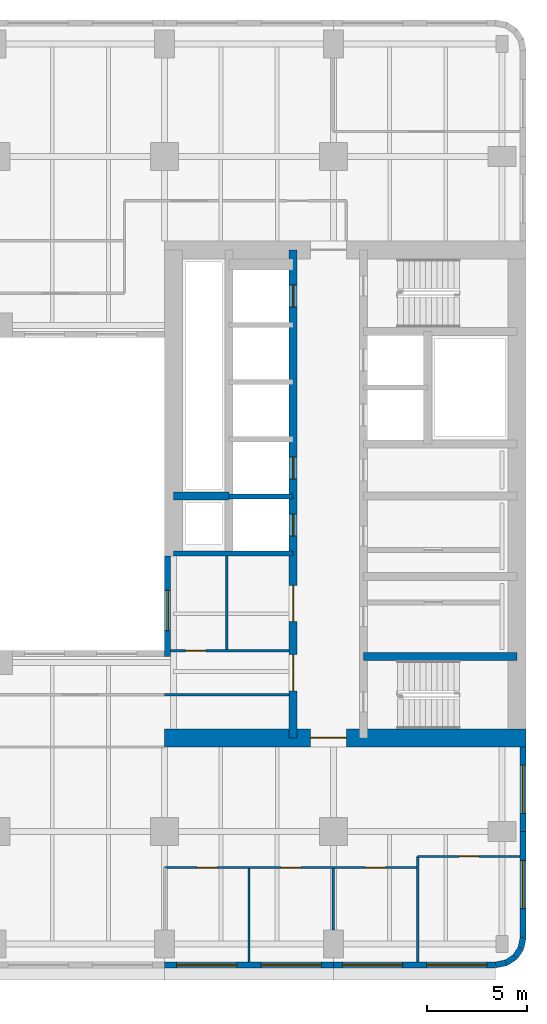
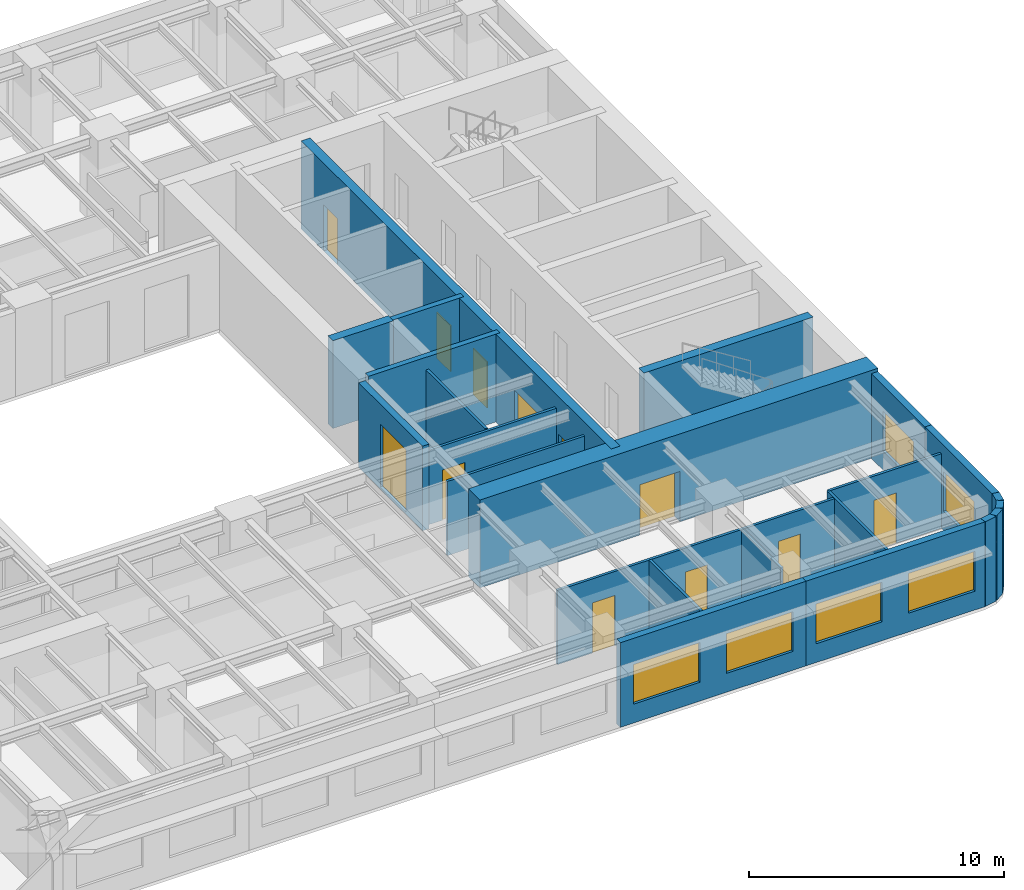
# One storey, part 5 of 11: 23 walls, 11 doors, 7 windows, 18 openings.
"""IFC4 building model written with IfcOpenShell, lengths in metres."""

from ifc_helpers import new_model, si_unit, direction, frame, frame_2d, origin, place, context, subcontext, project, spatial, rectangle, extrude, material, layer, layer_set, type_object, element, fill, save


model = new_model("IFC4")

# Units and contexts
model_context = context("Model", 3, precision=1e-05, world=origin(), true_north=direction((0.0, 1.0)))
body_context = subcontext(model_context, "Body", "Model", "MODEL_VIEW")
ifc_project = project(units=[si_unit("LENGTHUNIT", "METRE"), si_unit("AREAUNIT", "SQUARE_METRE"), si_unit("VOLUMEUNIT", "CUBIC_METRE"), si_unit("PLANEANGLEUNIT", "RADIAN"), si_unit("MASSUNIT", "GRAM", prefix="KILO")], contexts=[model_context])

# Site, building, storey
site_placement = place(None, origin())
site = spatial("IfcSite", under=ifc_project, at=site_placement, CompositionType="ELEMENT")
building_placement = place(site_placement, origin())
building = spatial("IfcBuilding", under=site, at=building_placement, Name="Claustro Exchange Tower", CompositionType="ELEMENT")
storey_placement = place(building_placement, frame((0.0, 0.0, 126.0)))
storey = spatial("IfcBuildingStorey", under=building, at=storey_placement, Name="L28", CompositionType="ELEMENT", Elevation=126.0)

# Wall, opening, door
ifc_material_1 = material(Name="Laminated glass in aluminium frame", Category="aluminium")
ifc_layer_1 = layer(ifc_material_1, 0.1201171875)
ifc_layer_set_1 = layer_set([ifc_layer_1], Name="Laminated glass in aluminium frame")
wall_type_1 = type_object("IfcWallType", Name="P2 120 glazed partition", PredefinedType="PARTITIONING", material=ifc_layer_set_1)
wall_1_placement = place(storey_placement, frame((33.89794921875, 17.39990234375, 0.0), z_axis=(0.0, 0.0, 1.0), x_axis=(1.0, 0.0, 0.0)))
wall_1 = element("IfcWall", 1, at=wall_1_placement, inside=storey, type_object=wall_type_1, Name="Partition P2 L28", PredefinedType="PARTITIONING", context=body_context, shape_type="SweptSolid", body=[
    extrude(rectangle(XDim=5.904052734375, YDim=0.1201171875, at=frame_2d((2.9521484375, 0.0))), origin(), (0.0, 0.0, 1.0), 3.550048828125),
])
opening_1_placement = place(wall_1_placement, frame((0.751953125, 0.0, 0.0)))
opening_1 = element("IfcOpeningElement", 2, at=opening_1_placement, cuts=wall_1, Name="Opening D7", PredefinedType="OPENING", context=body_context, shape_type="SweptSolid", body=[
    extrude(rectangle(XDim=1.0, YDim=2.39990234375, at=frame_2d((0.5, 1.199951171875))), frame((0.0, 0.070068359375, 0.0), z_axis=(0.0, -1.0, 0.0), x_axis=(1.0, 0.0, 0.0)), (0.0, 0.0, 1.0), 0.14013671875),
])
ifc_material_2 = material(Name="Glass door in aluminium frame", Category="aluminium")
door_type_1 = type_object("IfcDoorType", Name="D7 1000 x 2400 glazed door", OperationType="SINGLE_SWING_LEFT", PredefinedType="DOOR", material=ifc_material_2)
door_1_placement = place(opening_1_placement, origin())
door_1 = element("IfcDoor", 3, at=door_1_placement, inside=storey, type_object=door_type_1, Name="Door D7 L28", OperationType="SINGLE_SWING_RIGHT", OverallHeight=2.39990234375, OverallWidth=1.0, PredefinedType="DOOR", context=body_context, shape_type="SweptSolid", body=[
    extrude(rectangle(XDim=1.0, YDim=2.39990234375, at=frame_2d((0.5, 1.199951171875))), frame((0.0, 0.02490234375, 0.0), z_axis=(0.0, -1.0, 0.0), x_axis=(1.0, 0.0, 0.0)), (0.0, 0.0, 1.0), 0.050048828125),
])
fill(opening_1, door_1)

# Wall
wall_2_placement = place(storey_placement, frame((36.699951171875, 17.4580078125, 0.0), z_axis=(0.0, 0.0, 1.0), x_axis=(0.0, 1.0, 0.0)))
element("IfcWall", 4, at=wall_2_placement, inside=storey, type_object=wall_type_1, Name="Partition P2 L28", PredefinedType="PARTITIONING", context=body_context, shape_type="SweptSolid", body=[
    extrude(rectangle(XDim=4.64404296875, YDim=0.1201171875, at=frame_2d((2.322021484375, 0.0))), origin(), (0.0, 0.0, 1.0), 3.60009765625),
])

# Wall, opening, door
wall_3_placement = place(storey_placement, frame((46.199951171875, 7.14990234375, 0.0), z_axis=(0.0, 0.0, 1.0), x_axis=(1.0, 0.0, 0.0)))
wall_3 = element("IfcWall", 5, at=wall_3_placement, inside=storey, type_object=wall_type_1, Name="Partition P2 L28", PredefinedType="PARTITIONING", context=body_context, shape_type="SweptSolid", body=[
    extrude(rectangle(XDim=5.10205078125, YDim=0.1201171875, at=frame_2d((2.551025390625, 0.0))), origin(), (0.0, 0.0, 1.0), 3.56005859375),
])
opening_2_placement = place(wall_3_placement, frame((2.050048828125, 0.0, 0.0)))
opening_2 = element("IfcOpeningElement", 6, at=opening_2_placement, cuts=wall_3, Name="Opening D7", PredefinedType="OPENING", context=body_context, shape_type="SweptSolid", body=[
    extrude(rectangle(XDim=1.0, YDim=2.39990234375, at=frame_2d((0.5, 1.199951171875))), frame((0.0, 0.070068359375, 0.0), z_axis=(0.0, -1.0, 0.0), x_axis=(1.0, 0.0, 0.0)), (0.0, 0.0, 1.0), 0.14013671875),
])
door_2_placement = place(opening_2_placement, frame((1.0, 0.0, 0.0), z_axis=(0.0, 0.0, 1.0), x_axis=(-1.0, 0.0, 0.0)))
door_2 = element("IfcDoor", 7, at=door_2_placement, inside=storey, type_object=door_type_1, Name="Door D7 L28", OperationType="SINGLE_SWING_RIGHT", OverallHeight=2.39990234375, OverallWidth=1.0, PredefinedType="DOOR", context=body_context, shape_type="SweptSolid", body=[
    extrude(rectangle(XDim=1.0, YDim=2.39990234375, at=frame_2d((0.5, 1.199951171875))), frame((0.0, 0.02490234375, 0.0), z_axis=(0.0, -1.0, 0.0), x_axis=(1.0, 0.0, 0.0)), (0.0, 0.0, 1.0), 0.050048828125),
])
fill(opening_2, door_2)

# Wall, openings, doors
wall_4_placement = place(storey_placement, frame((33.60009765625, 6.60009765625, 0.0), z_axis=(0.0, 0.0, 1.0), x_axis=(1.0, 0.0, 0.0)))
wall_4 = element("IfcWall", 8, at=wall_4_placement, inside=storey, type_object=wall_type_1, Name="Partition P2 L28", PredefinedType="PARTITIONING", context=body_context, shape_type="SweptSolid", body=[
    extrude(rectangle(XDim=12.5419921875, YDim=0.1201171875, at=frame_2d((6.27099609375, 0.0))), origin(), (0.0, 0.0, 1.0), 3.550048828125),
])
opening_3_placement = place(wall_4_placement, frame((1.60009765625, 0.0, 0.0)))
opening_3 = element("IfcOpeningElement", 9, at=opening_3_placement, cuts=wall_4, Name="Opening D7", PredefinedType="OPENING", context=body_context, shape_type="SweptSolid", body=[
    extrude(rectangle(XDim=1.0, YDim=2.39990234375, at=frame_2d((0.5, 1.199951171875))), frame((0.0, 0.070068359375, 0.0), z_axis=(0.0, -1.0, 0.0), x_axis=(1.0, 0.0, 0.0)), (0.0, 0.0, 1.0), 0.14013671875),
])
opening_4_placement = place(wall_4_placement, frame((5.800048828125, 0.0, 0.0)))
opening_4 = element("IfcOpeningElement", 10, at=opening_4_placement, cuts=wall_4, Name="Opening D7", PredefinedType="OPENING", context=body_context, shape_type="SweptSolid", body=[
    extrude(rectangle(XDim=1.0, YDim=2.39990234375, at=frame_2d((0.5, 1.199951171875))), frame((0.0, 0.070068359375, 0.0), z_axis=(0.0, -1.0, 0.0), x_axis=(1.0, 0.0, 0.0)), (0.0, 0.0, 1.0), 0.14013671875),
])
opening_5_placement = place(wall_4_placement, frame((10.0, 0.0, 0.0)))
opening_5 = element("IfcOpeningElement", 11, at=opening_5_placement, cuts=wall_4, Name="Opening D7", PredefinedType="OPENING", context=body_context, shape_type="SweptSolid", body=[
    extrude(rectangle(XDim=1.0, YDim=2.39990234375, at=frame_2d((0.5, 1.199951171875))), frame((0.0, 0.070068359375, 0.0), z_axis=(0.0, -1.0, 0.0), x_axis=(1.0, 0.0, 0.0)), (0.0, 0.0, 1.0), 0.14013671875),
])
door_3_placement = place(opening_3_placement, frame((1.0, 0.0, 0.0), z_axis=(0.0, 0.0, 1.0), x_axis=(-1.0, 0.0, 0.0)))
door_3 = element("IfcDoor", 12, at=door_3_placement, inside=storey, type_object=door_type_1, Name="Door D7 L28", OperationType="SINGLE_SWING_LEFT", OverallHeight=2.39990234375, OverallWidth=1.0, PredefinedType="DOOR", context=body_context, shape_type="SweptSolid", body=[
    extrude(rectangle(XDim=1.0, YDim=2.39990234375, at=frame_2d((0.5, 1.199951171875))), frame((0.0, 0.02490234375, 0.0), z_axis=(0.0, -1.0, 0.0), x_axis=(1.0, 0.0, 0.0)), (0.0, 0.0, 1.0), 0.050048828125),
])
fill(opening_3, door_3)
door_4_placement = place(opening_4_placement, frame((1.0, 0.0, 0.0), z_axis=(0.0, 0.0, 1.0), x_axis=(-1.0, 0.0, 0.0)))
door_4 = element("IfcDoor", 13, at=door_4_placement, inside=storey, type_object=door_type_1, Name="Door D7 L28", OperationType="SINGLE_SWING_LEFT", OverallHeight=2.39990234375, OverallWidth=1.0, PredefinedType="DOOR", context=body_context, shape_type="SweptSolid", body=[
    extrude(rectangle(XDim=1.0, YDim=2.39990234375, at=frame_2d((0.5, 1.199951171875))), frame((0.0, 0.02490234375, 0.0), z_axis=(0.0, -1.0, 0.0), x_axis=(1.0, 0.0, 0.0)), (0.0, 0.0, 1.0), 0.050048828125),
])
fill(opening_4, door_4)
door_5_placement = place(opening_5_placement, frame((1.0, 0.0, 0.0), z_axis=(0.0, 0.0, 1.0), x_axis=(-1.0, 0.0, 0.0)))
door_5 = element("IfcDoor", 14, at=door_5_placement, inside=storey, type_object=door_type_1, Name="Door D7 L28", OperationType="SINGLE_SWING_RIGHT", OverallHeight=2.39990234375, OverallWidth=1.0, PredefinedType="DOOR", context=body_context, shape_type="SweptSolid", body=[
    extrude(rectangle(XDim=1.0, YDim=2.39990234375, at=frame_2d((0.5, 1.199951171875))), frame((0.0, 0.02490234375, 0.0), z_axis=(0.0, -1.0, 0.0), x_axis=(1.0, 0.0, 0.0)), (0.0, 0.0, 1.0), 0.050048828125),
])
fill(opening_5, door_5)

# Walls
wall_5_placement = place(storey_placement, frame((37.800048828125, 1.89794921875, 0.0), z_axis=(0.0, 0.0, 1.0), x_axis=(0.0, 1.0, 0.0)))
element("IfcWall", 15, at=wall_5_placement, inside=storey, type_object=wall_type_1, Name="Partition P2 L28", PredefinedType="PARTITIONING", context=body_context, shape_type="SweptSolid", body=[
    extrude(rectangle(XDim=4.64404296875, YDim=0.1201171875, at=frame_2d((2.322021484375, 0.0))), origin(), (0.0, 0.0, 1.0), 3.56005859375),
])
wall_6_placement = place(storey_placement, frame((42.0, 3.4990234375, 0.0), z_axis=(0.0, 0.0, 1.0), x_axis=(0.0, 1.0, 0.0)))
element("IfcWall", 16, at=wall_6_placement, inside=storey, type_object=wall_type_1, Name="Partition P2 L28", PredefinedType="PARTITIONING", context=body_context, shape_type="SweptSolid", body=[
    extrude(rectangle(XDim=3.04296875, YDim=0.1201171875, at=frame_2d((1.521484375, 0.0))), origin(), (0.0, 0.0, 1.0), 3.550048828125),
])
wall_7_placement = place(storey_placement, frame((46.199951171875, 1.89794921875, 0.0), z_axis=(0.0, 0.0, 1.0), x_axis=(0.0, 1.0, 0.0)))
element("IfcWall", 17, at=wall_7_placement, inside=storey, type_object=wall_type_1, Name="Partition P2 L28", PredefinedType="PARTITIONING", context=body_context, shape_type="SweptSolid", body=[
    extrude(rectangle(XDim=5.251953125, YDim=0.1201171875, at=frame_2d((2.6259765625, 0.0))), origin(), (0.0, 0.0, 1.0), 3.56005859375),
])
wall_8_placement = place(storey_placement, frame((33.597900390625, 15.199951171875, 0.0), z_axis=(0.0, 0.0, 1.0), x_axis=(1.0, 0.0, 0.0)))
element("IfcWall", 18, at=wall_8_placement, inside=storey, type_object=wall_type_1, Name="Partition P2 L28", PredefinedType="PARTITIONING", context=body_context, shape_type="SweptSolid", body=[
    extrude(rectangle(XDim=6.2041015625, YDim=0.1201171875, at=frame_2d((3.10205078125, 0.0))), origin(), (0.0, 0.0, 1.0), 3.550048828125),
])

# Wall, openings, windows
ifc_material_3 = material(Name="Concrete HA-40 (C40/50), precast, white cement, acid-etched", Category="concrete")
ifc_layer_2 = layer(ifc_material_3, 0.300048828125)
ifc_layer_set_2 = layer_set([ifc_layer_2], Name="Concrete HA-40 (C40/50), precast, white cement, acid-etched")
wall_type_2 = type_object("IfcWallType", Name="PC1 300 precast concrete pier panel", PredefinedType="SOLIDWALL", material=ifc_layer_set_2)
wall_9_placement = place(storey_placement, frame((50.085205078125, 1.75, 0.0), z_axis=(0.0, 0.0, 1.0), x_axis=(-1.0, 0.0, 0.0)))
wall_9 = element("IfcWall", 19, at=wall_9_placement, inside=storey, type_object=wall_type_2, Name="Precast pier panel PC1 L28", PredefinedType="SOLIDWALL", context=body_context, shape_type="SweptSolid", body=[
    extrude(rectangle(XDim=8.085205078125, YDim=0.300048828125, at=frame_2d((4.04248046875, 0.0))), origin(), (0.0, 0.0, 1.0), 4.050048828125),
])
opening_6_placement = place(wall_9_placement, frame((0.442626953125, 0.0, 0.89990234375)))
opening_6 = element("IfcOpeningElement", 20, at=opening_6_placement, cuts=wall_9, Name="Opening W1", PredefinedType="OPENING", context=body_context, shape_type="SweptSolid", body=[
    extrude(rectangle(XDim=3.0, YDim=1.89990234375, at=frame_2d((1.5, 0.949951171875))), frame((0.0, 0.159912109375, 0.0), z_axis=(0.0, -1.0, 0.0), x_axis=(1.0, 0.0, 0.0)), (0.0, 0.0, 1.0), 0.320068359375),
])
opening_7_placement = place(wall_9_placement, frame((4.642578125, 0.0, 0.89990234375)))
opening_7 = element("IfcOpeningElement", 21, at=opening_7_placement, cuts=wall_9, Name="Opening W1", PredefinedType="OPENING", context=body_context, shape_type="SweptSolid", body=[
    extrude(rectangle(XDim=3.0, YDim=1.89990234375, at=frame_2d((1.5, 0.949951171875))), frame((0.0, 0.159912109375, 0.0), z_axis=(0.0, -1.0, 0.0), x_axis=(1.0, 0.0, 0.0)), (0.0, 0.0, 1.0), 0.320068359375),
])
ifc_material_4 = material(Name="Aluminium frame, clear double glazing", Category="aluminium")
window_type_1 = type_object("IfcWindowType", Name="W1 3000 x 1900 window", PartitioningType="SINGLE_PANEL", PredefinedType="WINDOW", material=ifc_material_4)
window_1_placement = place(opening_6_placement, origin())
window_1 = element("IfcWindow", 22, at=window_1_placement, inside=storey, type_object=window_type_1, Name="Window W1 L28", OverallHeight=1.89990234375, OverallWidth=3.0, PartitioningType="SINGLE_PANEL", PredefinedType="WINDOW", context=body_context, shape_type="SweptSolid", body=[
    extrude(rectangle(XDim=3.0, YDim=1.89990234375, at=frame_2d((1.5, 0.949951171875))), frame((0.0, 0.030029296875, 0.0), z_axis=(0.0, -1.0, 0.0), x_axis=(1.0, 0.0, 0.0)), (0.0, 0.0, 1.0), 0.06005859375),
])
fill(opening_6, window_1)
window_2_placement = place(opening_7_placement, origin())
window_2 = element("IfcWindow", 23, at=window_2_placement, inside=storey, type_object=window_type_1, Name="Window W1 L28", OverallHeight=1.89990234375, OverallWidth=3.0, PartitioningType="SINGLE_PANEL", PredefinedType="WINDOW", context=body_context, shape_type="SweptSolid", body=[
    extrude(rectangle(XDim=3.0, YDim=1.89990234375, at=frame_2d((1.5, 0.949951171875))), frame((0.0, 0.030029296875, 0.0), z_axis=(0.0, -1.0, 0.0), x_axis=(1.0, 0.0, 0.0)), (0.0, 0.0, 1.0), 0.06005859375),
])
fill(opening_7, window_2)

wall_10_placement = place(storey_placement, frame((42.0, 1.75, 0.0), z_axis=(0.0, 0.0, 1.0), x_axis=(-1.0, 0.0, 0.0)))
wall_10 = element("IfcWall", 24, at=wall_10_placement, inside=storey, type_object=wall_type_2, Name="Precast pier panel PC1 L28", PredefinedType="SOLIDWALL", context=body_context, shape_type="SweptSolid", body=[
    extrude(rectangle(XDim=8.39990234375, YDim=0.300048828125, at=frame_2d((4.199951171875, 0.0))), origin(), (0.0, 0.0, 1.0), 4.050048828125),
])
opening_8_placement = place(wall_10_placement, frame((0.60009765625, 0.0, 0.89990234375)))
opening_8 = element("IfcOpeningElement", 25, at=opening_8_placement, cuts=wall_10, Name="Opening W1", PredefinedType="OPENING", context=body_context, shape_type="SweptSolid", body=[
    extrude(rectangle(XDim=3.0, YDim=1.89990234375, at=frame_2d((1.5, 0.949951171875))), frame((0.0, 0.159912109375, 0.0), z_axis=(0.0, -1.0, 0.0), x_axis=(1.0, 0.0, 0.0)), (0.0, 0.0, 1.0), 0.320068359375),
])
opening_9_placement = place(wall_10_placement, frame((4.800048828125, 0.0, 0.89990234375)))
opening_9 = element("IfcOpeningElement", 26, at=opening_9_placement, cuts=wall_10, Name="Opening W1", PredefinedType="OPENING", context=body_context, shape_type="SweptSolid", body=[
    extrude(rectangle(XDim=3.0, YDim=1.89990234375, at=frame_2d((1.5, 0.949951171875))), frame((0.0, 0.159912109375, 0.0), z_axis=(0.0, -1.0, 0.0), x_axis=(1.0, 0.0, 0.0)), (0.0, 0.0, 1.0), 0.320068359375),
])
window_3_placement = place(opening_8_placement, origin())
window_3 = element("IfcWindow", 27, at=window_3_placement, inside=storey, type_object=window_type_1, Name="Window W1 L28", OverallHeight=1.89990234375, OverallWidth=3.0, PartitioningType="SINGLE_PANEL", PredefinedType="WINDOW", context=body_context, shape_type="SweptSolid", body=[
    extrude(rectangle(XDim=3.0, YDim=1.89990234375, at=frame_2d((1.5, 0.949951171875))), frame((0.0, 0.030029296875, 0.0), z_axis=(0.0, -1.0, 0.0), x_axis=(1.0, 0.0, 0.0)), (0.0, 0.0, 1.0), 0.06005859375),
])
fill(opening_8, window_3)
window_4_placement = place(opening_9_placement, origin())
window_4 = element("IfcWindow", 28, at=window_4_placement, inside=storey, type_object=window_type_1, Name="Window W1 L28", OverallHeight=1.89990234375, OverallWidth=3.0, PartitioningType="SINGLE_PANEL", PredefinedType="WINDOW", context=body_context, shape_type="SweptSolid", body=[
    extrude(rectangle(XDim=3.0, YDim=1.89990234375, at=frame_2d((1.5, 0.949951171875))), frame((0.0, 0.030029296875, 0.0), z_axis=(0.0, -1.0, 0.0), x_axis=(1.0, 0.0, 0.0)), (0.0, 0.0, 1.0), 0.06005859375),
])
fill(opening_9, window_4)

# Wall, opening, window
wall_11_placement = place(storey_placement, frame((51.449951171875, 12.60009765625, 0.0), z_axis=(0.0, 0.0, 1.0), x_axis=(0.0, -1.0, 0.0)))
wall_11 = element("IfcWall", 29, at=wall_11_placement, inside=storey, type_object=wall_type_2, Name="Precast pier panel PC1 L28", PredefinedType="SOLIDWALL", context=body_context, shape_type="SweptSolid", body=[
    extrude(rectangle(XDim=4.2001953125, YDim=0.300048828125, at=frame_2d((2.10009765625, 0.0))), origin(), (0.0, 0.0, 1.0), 4.050048828125),
])
opening_10_placement = place(wall_11_placement, frame((0.89990234375, 0.0, 0.89990234375)))
opening_10 = element("IfcOpeningElement", 30, at=opening_10_placement, cuts=wall_11, Name="Opening W2", PredefinedType="OPENING", context=body_context, shape_type="SweptSolid", body=[
    extrude(rectangle(XDim=2.39990234375, YDim=1.89990234375, at=frame_2d((1.199951171875, 0.949951171875))), frame((0.0, 0.159912109375, 0.0), z_axis=(0.0, -1.0, 0.0), x_axis=(1.0, 0.0, 0.0)), (0.0, 0.0, 1.0), 0.320068359375),
])
ifc_material_5 = material(Name="Aluminium frame, clear double glazing", Category="aluminium")
window_type_2 = type_object("IfcWindowType", Name="W2 2400 x 1900 window", PartitioningType="SINGLE_PANEL", PredefinedType="WINDOW", material=ifc_material_5)
window_5_placement = place(opening_10_placement, origin())
window_5 = element("IfcWindow", 31, at=window_5_placement, inside=storey, type_object=window_type_2, Name="Window W2 L28", OverallHeight=1.89990234375, OverallWidth=2.39990234375, PartitioningType="SINGLE_PANEL", PredefinedType="WINDOW", context=body_context, shape_type="SweptSolid", body=[
    extrude(rectangle(XDim=2.39990234375, YDim=1.89990234375, at=frame_2d((1.199951171875, 0.949951171875))), frame((0.0, 0.030029296875, 0.0), z_axis=(0.0, -1.0, 0.0), x_axis=(1.0, 0.0, 0.0)), (0.0, 0.0, 1.0), 0.06005859375),
])
fill(opening_10, window_5)

wall_12_placement = place(storey_placement, frame((51.449951171875, 8.39990234375, 0.0), z_axis=(0.0, 0.0, 1.0), x_axis=(0.0, -1.0, 0.0)))
wall_12 = element("IfcWall", 32, at=wall_12_placement, inside=storey, type_object=wall_type_2, Name="Precast pier panel PC1 L28", PredefinedType="SOLIDWALL", context=body_context, shape_type="SweptSolid", body=[
    extrude(rectangle(XDim=5.28515625, YDim=0.300048828125, at=frame_2d((2.642578125, 0.0))), origin(), (0.0, 0.0, 1.0), 4.050048828125),
])
opening_11_placement = place(wall_12_placement, frame((1.442626953125, 0.0, 0.89990234375)))
opening_11 = element("IfcOpeningElement", 33, at=opening_11_placement, cuts=wall_12, Name="Opening W2", PredefinedType="OPENING", context=body_context, shape_type="SweptSolid", body=[
    extrude(rectangle(XDim=2.39990234375, YDim=1.89990234375, at=frame_2d((1.199951171875, 0.949951171875))), frame((0.0, 0.159912109375, 0.0), z_axis=(0.0, -1.0, 0.0), x_axis=(1.0, 0.0, 0.0)), (0.0, 0.0, 1.0), 0.320068359375),
])
window_6_placement = place(opening_11_placement, origin())
window_6 = element("IfcWindow", 34, at=window_6_placement, inside=storey, type_object=window_type_2, Name="Window W2 L28", OverallHeight=1.89990234375, OverallWidth=2.39990234375, PartitioningType="SINGLE_PANEL", PredefinedType="WINDOW", context=body_context, shape_type="SweptSolid", body=[
    extrude(rectangle(XDim=2.39990234375, YDim=1.89990234375, at=frame_2d((1.199951171875, 0.949951171875))), frame((0.0, 0.030029296875, 0.0), z_axis=(0.0, -1.0, 0.0), x_axis=(1.0, 0.0, 0.0)), (0.0, 0.0, 1.0), 0.06005859375),
])
fill(opening_11, window_6)

# Walls
wall_13_placement = place(storey_placement, frame((51.449951171875, 3.11474609375, 0.0), z_axis=(0.0, 0.0, 1.0), x_axis=(-0.195073962632, -0.980788534345, 0.0)))
element("IfcWall", 35, at=wall_13_placement, inside=storey, type_object=wall_type_2, Name="Precast pier panel PC1 L28", PredefinedType="SOLIDWALL", context=body_context, shape_type="SweptSolid", body=[
    extrude(rectangle(XDim=0.540771484375, YDim=0.300048828125, at=frame_2d((0.2705078125, 0.0))), origin(), (0.0, 0.0, 1.0), 4.050048828125),
])
for number, where, z_axis, x_axis, name in (
    (36, (51.344482421875, 2.58447265625, 0.0), (0.0, 0.0, 1.0), (-0.555557463938, -0.831478144188, 0.0), "Precast pier panel PC1 L28"),
    (37, (51.052490234375, 2.1474609375, 0.0), (0.0, 0.0, 1.0), (-0.831478144188, -0.555557463938, 0.0), "Precast pier panel PC1 L28"),
):
    element("IfcWall", number, at=place(storey_placement, frame(where, z_axis=z_axis, x_axis=x_axis)), inside=storey, type_object=wall_type_2, Name=name, PredefinedType="SOLIDWALL", context=body_context, shape_type="SweptSolid", body=[
        extrude(rectangle(XDim=0.525634765625, YDim=0.300048828125, at=frame_2d((0.2626953125, 0.0))), origin(), (0.0, 0.0, 1.0), 4.050048828125),
    ])
wall_14_placement = place(storey_placement, frame((50.615478515625, 1.85546875, 0.0), z_axis=(0.0, 0.0, 1.0), x_axis=(-0.980788534345, -0.195073962632, 0.0)))
element("IfcWall", 38, at=wall_14_placement, inside=storey, type_object=wall_type_2, Name="Precast pier panel PC1 L28", PredefinedType="SOLIDWALL", context=body_context, shape_type="SweptSolid", body=[
    extrude(rectangle(XDim=0.540771484375, YDim=0.300048828125, at=frame_2d((0.2705078125, 0.0))), origin(), (0.0, 0.0, 1.0), 4.050048828125),
])

# Wall, opening, window
wall_15_placement = place(storey_placement, frame((33.75, 17.10009765625, 0.0), z_axis=(0.0, 0.0, 1.0), x_axis=(0.0, 1.0, 0.0)))
wall_15 = element("IfcWall", 39, at=wall_15_placement, inside=storey, type_object=wall_type_2, Name="Precast pier panel PC1 L28", PredefinedType="SOLIDWALL", context=body_context, shape_type="SweptSolid", body=[
    extrude(rectangle(XDim=5.0, YDim=0.300048828125, at=frame_2d((2.5, 0.0))), origin(), (0.0, 0.0, 1.0), 4.050048828125),
])
opening_12_placement = place(wall_15_placement, frame((1.300048828125, 0.0, 0.10009765625)))
opening_12 = element("IfcOpeningElement", 40, at=opening_12_placement, cuts=wall_15, Name="Opening W-A", PredefinedType="OPENING", context=body_context, shape_type="SweptSolid", body=[
    extrude(rectangle(XDim=2.0, YDim=3.0, at=frame_2d((1.0, 1.5))), frame((0.0, 0.159912109375, 0.0), z_axis=(0.0, -1.0, 0.0), x_axis=(1.0, 0.0, 0.0)), (0.0, 0.0, 1.0), 0.320068359375),
])
ifc_material_6 = material(Name="Aluminium frame, clear double glazing", Category="aluminium")
window_type_3 = type_object("IfcWindowType", Name="W-A 2000 x 3000 arcade window", PartitioningType="SINGLE_PANEL", PredefinedType="WINDOW", material=ifc_material_6)
window_7_placement = place(opening_12_placement, origin())
window_7 = element("IfcWindow", 41, at=window_7_placement, inside=storey, type_object=window_type_3, Name="Window W-A L28", OverallHeight=3.0, OverallWidth=2.0, PartitioningType="SINGLE_PANEL", PredefinedType="WINDOW", context=body_context, shape_type="SweptSolid", body=[
    extrude(rectangle(XDim=2.0, YDim=3.0, at=frame_2d((1.0, 1.5))), frame((0.0, 0.030029296875, 0.0), z_axis=(0.0, -1.0, 0.0), x_axis=(1.0, 0.0, 0.0)), (0.0, 0.0, 1.0), 0.06005859375),
])
fill(opening_12, window_7)

# Wall, opening, door
ifc_material_7 = material(Name="Concrete HA-70 (C70/85)", Category="concrete")
ifc_layer_3 = layer(ifc_material_7, 0.89990234375)
ifc_layer_set_3 = layer_set([ifc_layer_3], Name="Concrete HA-70 (C70/85)")
wall_type_3 = type_object("IfcWallType", Name="SW1 900 core shear wall", PredefinedType="SHEAR", material=ifc_layer_set_3)
wall_16_placement = place(storey_placement, frame((33.60009765625, 13.050048828125, 0.0), z_axis=(0.0, 0.0, 1.0), x_axis=(1.0, 0.0, 0.0)))
wall_16 = element("IfcWall", 42, at=wall_16_placement, inside=storey, type_object=wall_type_3, Name="Core wall SW1 E core S face L28", PredefinedType="SHEAR", context=body_context, shape_type="SweptSolid", body=[
    extrude(rectangle(XDim=18.0, YDim=0.89990234375, at=frame_2d((9.0, 0.0))), origin(), (0.0, 0.0, 1.0), 4.199951171875),
])
opening_13_placement = place(wall_16_placement, frame((7.25, 0.0, 0.0)))
opening_13 = element("IfcOpeningElement", 43, at=opening_13_placement, cuts=wall_16, Name="Opening D3", PredefinedType="OPENING", context=body_context, shape_type="SweptSolid", body=[
    extrude(rectangle(XDim=1.800048828125, YDim=2.39990234375, at=frame_2d((0.89990234375, 1.199951171875))), frame((0.0, 0.4599609375, 0.0), z_axis=(0.0, -1.0, 0.0), x_axis=(1.0, 0.0, 0.0)), (0.0, 0.0, 1.0), 0.919921875),
])
ifc_material_8 = material(Name="Steel fire door, painted", Category="steel")
door_type_2 = type_object("IfcDoorType", Name="D3 1800 x 2400 fire-rated lobby double door", OperationType="DOUBLE_DOOR_SINGLE_SWING", PredefinedType="DOOR", material=ifc_material_8)
door_6_placement = place(opening_13_placement, frame((1.800048828125, 0.0, 0.0), z_axis=(0.0, 0.0, 1.0), x_axis=(-1.0, 0.0, 0.0)))
door_6 = element("IfcDoor", 44, at=door_6_placement, inside=storey, type_object=door_type_2, Name="Lift lobby door D3 L28", OperationType="DOUBLE_DOOR_SINGLE_SWING", OverallHeight=2.39990234375, OverallWidth=1.800048828125, PredefinedType="DOOR", context=body_context, shape_type="SweptSolid", body=[
    extrude(rectangle(XDim=1.800048828125, YDim=2.39990234375, at=frame_2d((0.89990234375, 1.199951171875))), frame((0.0, 0.02490234375, 0.0), z_axis=(0.0, -1.0, 0.0), x_axis=(1.0, 0.0, 0.0)), (0.0, 0.0, 1.0), 0.050048828125),
])
fill(opening_13, door_6)

# Wall, openings, doors
ifc_material_9 = material(Name="Concrete HA-50 (C50/60)", Category="concrete")
ifc_layer_4 = layer(ifc_material_9, 0.39990234375)
ifc_layer_set_4 = layer_set([ifc_layer_4], Name="Concrete HA-50 (C50/60)")
wall_type_4 = type_object("IfcWallType", Name="SW4 400 internal core wall", PredefinedType="SHEAR", material=ifc_layer_set_4)
wall_17_placement = place(storey_placement, frame((40.0, 13.050048828125, 0.0), z_axis=(0.0, 0.0, 1.0), x_axis=(0.0, 1.0, 0.0)))
wall_17 = element("IfcWall", 45, at=wall_17_placement, inside=storey, type_object=wall_type_4, Name="Internal core wall SW4 E core L28", PredefinedType="SHEAR", context=body_context, shape_type="SweptSolid", body=[
    extrude(rectangle(XDim=24.300048828125, YDim=0.39990234375, at=frame_2d((12.14990234375, 0.0))), origin(), (0.0, 0.0, 1.0), 4.199951171875),
])
opening_14_placement = place(wall_17_placement, frame((10.050048828125, 0.0, 0.0)))
opening_14 = element("IfcOpeningElement", 46, at=opening_14_placement, cuts=wall_17, Name="Opening LD", PredefinedType="OPENING", context=body_context, shape_type="SweptSolid", body=[
    extrude(rectangle(XDim=1.10009765625, YDim=2.199951171875, at=frame_2d((0.550048828125, 1.10009765625))), frame((0.0, 0.2099609375, 0.0), z_axis=(0.0, -1.0, 0.0), x_axis=(1.0, 0.0, 0.0)), (0.0, 0.0, 1.0), 0.419921875),
])
opening_15_placement = place(wall_17_placement, frame((12.89990234375, 0.0, 0.0)))
opening_15 = element("IfcOpeningElement", 47, at=opening_15_placement, cuts=wall_17, Name="Opening LD", PredefinedType="OPENING", context=body_context, shape_type="SweptSolid", body=[
    extrude(rectangle(XDim=1.10009765625, YDim=2.199951171875, at=frame_2d((0.550048828125, 1.10009765625))), frame((0.0, 0.2099609375, 0.0), z_axis=(0.0, -1.0, 0.0), x_axis=(1.0, 0.0, 0.0)), (0.0, 0.0, 1.0), 0.419921875),
])
opening_16_placement = place(wall_17_placement, frame((21.449951171875, 0.0, 0.0)))
opening_16 = element("IfcOpeningElement", 48, at=opening_16_placement, cuts=wall_17, Name="Opening LD", PredefinedType="OPENING", context=body_context, shape_type="SweptSolid", body=[
    extrude(rectangle(XDim=1.10009765625, YDim=2.199951171875, at=frame_2d((0.550048828125, 1.10009765625))), frame((0.0, 0.2099609375, 0.0), z_axis=(0.0, -1.0, 0.0), x_axis=(1.0, 0.0, 0.0)), (0.0, 0.0, 1.0), 0.419921875),
])
opening_17_placement = place(wall_17_placement, frame((2.35009765625, 0.0, 0.0)))
opening_17 = element("IfcOpeningElement", 49, at=opening_17_placement, cuts=wall_17, Name="Opening D3", PredefinedType="OPENING", context=body_context, shape_type="SweptSolid", body=[
    extrude(rectangle(XDim=1.800048828125, YDim=2.39990234375, at=frame_2d((0.89990234375, 1.199951171875))), frame((0.0, 0.2099609375, 0.0), z_axis=(0.0, -1.0, 0.0), x_axis=(1.0, 0.0, 0.0)), (0.0, 0.0, 1.0), 0.419921875),
])
opening_18_placement = place(wall_17_placement, frame((5.800048828125, 0.0, 0.0)))
opening_18 = element("IfcOpeningElement", 50, at=opening_18_placement, cuts=wall_17, Name="Opening D3", PredefinedType="OPENING", context=body_context, shape_type="SweptSolid", body=[
    extrude(rectangle(XDim=1.800048828125, YDim=2.39990234375, at=frame_2d((0.89990234375, 1.199951171875))), frame((0.0, 0.2099609375, 0.0), z_axis=(0.0, -1.0, 0.0), x_axis=(1.0, 0.0, 0.0)), (0.0, 0.0, 1.0), 0.419921875),
])
door_7_placement = place(opening_17_placement, frame((1.800048828125, 0.0, 0.0), z_axis=(0.0, 0.0, 1.0), x_axis=(-1.0, 0.0, 0.0)))
door_7 = element("IfcDoor", 51, at=door_7_placement, inside=storey, type_object=door_type_2, Name="Core zone door D3 L28", OperationType="DOUBLE_DOOR_SINGLE_SWING", OverallHeight=2.39990234375, OverallWidth=1.800048828125, PredefinedType="DOOR", context=body_context, shape_type="SweptSolid", body=[
    extrude(rectangle(XDim=1.800048828125, YDim=2.39990234375, at=frame_2d((0.89990234375, 1.199951171875))), frame((0.0, 0.02490234375, 0.0), z_axis=(0.0, -1.0, 0.0), x_axis=(1.0, 0.0, 0.0)), (0.0, 0.0, 1.0), 0.050048828125),
])
fill(opening_17, door_7)
door_8_placement = place(opening_18_placement, origin())
door_8 = element("IfcDoor", 52, at=door_8_placement, inside=storey, type_object=door_type_2, Name="Core zone door D3 L28", OperationType="DOUBLE_DOOR_SINGLE_SWING", OverallHeight=2.39990234375, OverallWidth=1.800048828125, PredefinedType="DOOR", context=body_context, shape_type="SweptSolid", body=[
    extrude(rectangle(XDim=1.800048828125, YDim=2.39990234375, at=frame_2d((0.89990234375, 1.199951171875))), frame((0.0, 0.02490234375, 0.0), z_axis=(0.0, -1.0, 0.0), x_axis=(1.0, 0.0, 0.0)), (0.0, 0.0, 1.0), 0.050048828125),
])
fill(opening_18, door_8)
ifc_material_10 = material(Name="Stainless steel sliding door", Category="steel")
door_type_3 = type_object("IfcDoorType", Name="LD 1100 x 2200 lift landing door", OperationType="DOUBLE_DOOR_SLIDING", PredefinedType="DOOR", material=ifc_material_10)
door_9_placement = place(opening_14_placement, origin())
door_9 = element("IfcDoor", 53, at=door_9_placement, inside=storey, type_object=door_type_3, Name="Lift landing door LME1 LD L28", OperationType="DOUBLE_DOOR_SLIDING", OverallHeight=2.199951171875, OverallWidth=1.10009765625, PredefinedType="DOOR", context=body_context, shape_type="SweptSolid", body=[
    extrude(rectangle(XDim=1.10009765625, YDim=2.199951171875, at=frame_2d((0.550048828125, 1.10009765625))), frame((0.0, 0.02490234375, 0.0), z_axis=(0.0, -1.0, 0.0), x_axis=(1.0, 0.0, 0.0)), (0.0, 0.0, 1.0), 0.050048828125),
])
fill(opening_14, door_9)
door_10_placement = place(opening_15_placement, origin())
door_10 = element("IfcDoor", 54, at=door_10_placement, inside=storey, type_object=door_type_3, Name="Lift landing door LME2 LD L28", OperationType="DOUBLE_DOOR_SLIDING", OverallHeight=2.199951171875, OverallWidth=1.10009765625, PredefinedType="DOOR", context=body_context, shape_type="SweptSolid", body=[
    extrude(rectangle(XDim=1.10009765625, YDim=2.199951171875, at=frame_2d((0.550048828125, 1.10009765625))), frame((0.0, 0.02490234375, 0.0), z_axis=(0.0, -1.0, 0.0), x_axis=(1.0, 0.0, 0.0)), (0.0, 0.0, 1.0), 0.050048828125),
])
fill(opening_15, door_10)
door_11_placement = place(opening_16_placement, origin())
door_11 = element("IfcDoor", 55, at=door_11_placement, inside=storey, type_object=door_type_3, Name="Lift landing door LSE1 LD L28", OperationType="DOUBLE_DOOR_SLIDING", OverallHeight=2.199951171875, OverallWidth=1.10009765625, PredefinedType="DOOR", context=body_context, shape_type="SweptSolid", body=[
    extrude(rectangle(XDim=1.10009765625, YDim=2.199951171875, at=frame_2d((0.550048828125, 1.10009765625))), frame((0.0, 0.02490234375, 0.0), z_axis=(0.0, -1.0, 0.0), x_axis=(1.0, 0.0, 0.0)), (0.0, 0.0, 1.0), 0.050048828125),
])
fill(opening_16, door_11)

# Walls
wall_18_placement = place(storey_placement, frame((51.14990234375, 17.10009765625, 0.0), z_axis=(0.0, 0.0, 1.0), x_axis=(-1.0, 0.0, 0.0)))
element("IfcWall", 56, at=wall_18_placement, inside=storey, type_object=wall_type_4, Name="Internal core wall SW4 E core L28", PredefinedType="SHEAR", context=body_context, shape_type="SweptSolid", body=[
    extrude(rectangle(XDim=7.64990234375, YDim=0.39990234375, at=frame_2d((3.824951171875, 0.0))), origin(), (0.0, 0.0, 1.0), 4.199951171875),
])
wall_19_placement = place(storey_placement, frame((36.800048828125, 25.10009765625, 0.0), z_axis=(0.0, 0.0, 1.0), x_axis=(-1.0, 0.0, 0.0)))
element("IfcWall", 57, at=wall_19_placement, inside=storey, type_object=wall_type_4, Name="Internal core wall SW4 E core L28", PredefinedType="SHEAR", context=body_context, shape_type="SweptSolid", body=[
    extrude(rectangle(XDim=2.75, YDim=0.39990234375, at=frame_2d((1.375, 0.0))), origin(), (0.0, 0.0, 1.0), 4.199951171875),
])
ifc_material_11 = material(Name="Concrete HA-50 (C50/60)", Category="concrete")
ifc_layer_5 = layer(ifc_material_11, 0.25)
ifc_layer_set_5 = layer_set([ifc_layer_5], Name="Concrete HA-50 (C50/60)")
wall_type_5 = type_object("IfcWallType", Name="SW5 250 lift shaft divider wall", PredefinedType="SHEAR", material=ifc_layer_set_5)
wall_20_placement = place(storey_placement, frame((40.0, 22.22509765625, 0.0), z_axis=(0.0, 0.0, 1.0), x_axis=(-1.0, 0.0, 0.0)))
element("IfcWall", 58, at=wall_20_placement, inside=storey, type_object=wall_type_5, Name="Core step wall E core L28", PredefinedType="SHEAR", context=body_context, shape_type="SweptSolid", body=[
    extrude(rectangle(XDim=5.949951171875, YDim=0.25, at=frame_2d((2.97509765625, 0.0))), origin(), (0.0, 0.0, 1.0), 4.199951171875),
])
wall_21_placement = place(storey_placement, frame((40.0, 25.074951171875, 0.0), z_axis=(0.0, 0.0, 1.0), x_axis=(-1.0, 0.0, 0.0)))
element("IfcWall", 59, at=wall_21_placement, inside=storey, type_object=wall_type_5, Name="Lift shaft wall E core L28", PredefinedType="SHEAR", context=body_context, shape_type="SweptSolid", body=[
    extrude(rectangle(XDim=3.199951171875, YDim=0.25, at=frame_2d((1.60009765625, 0.0))), origin(), (0.0, 0.0, 1.0), 4.199951171875),
])

save(model, "model.ifc")
